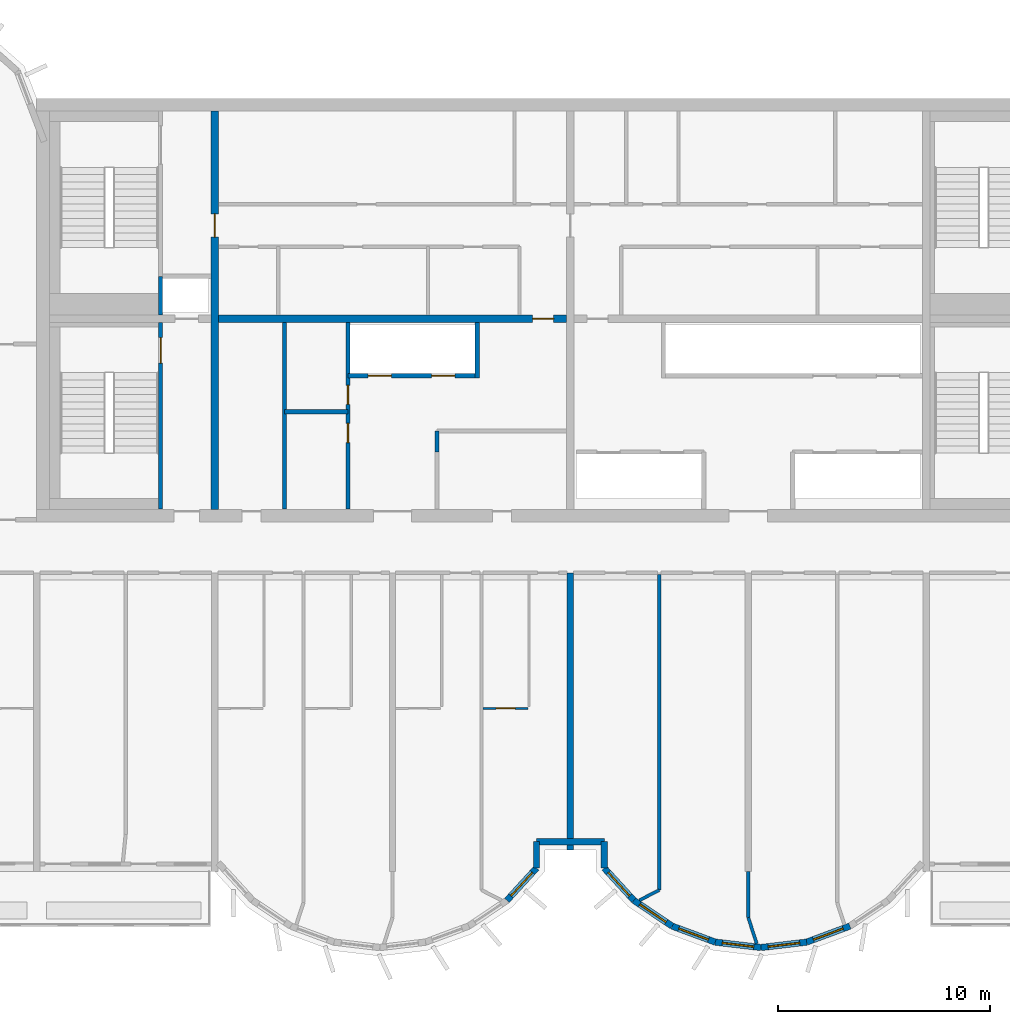
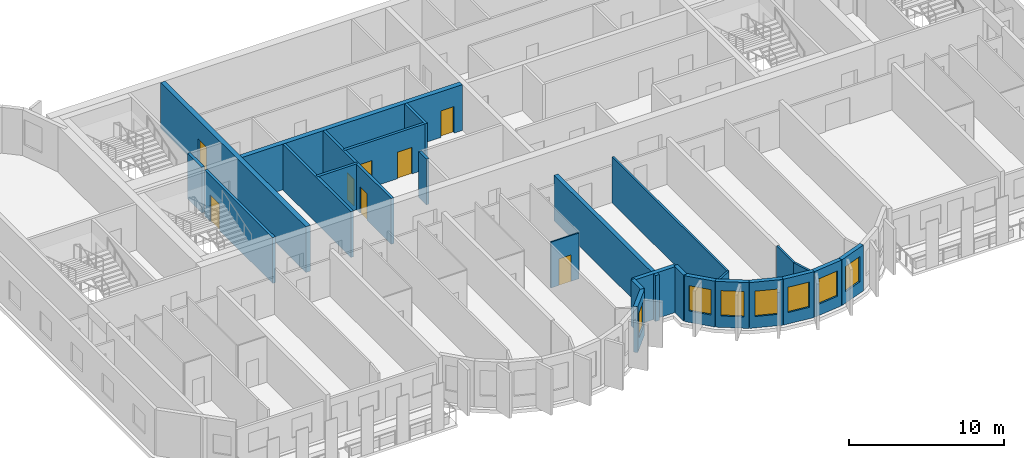
# One storey, part 4 of 11: 26 walls, 8 doors, 7 windows, 15 openings.
"""IFC4 building model written with IfcOpenShell, lengths in metres."""

import ifcopenshell
import ifcopenshell.guid

model = None  # the IFC model being written
_history = None  # IfcOwnerHistory: only IFC2X3 demands one
_inside = {}  # id of a spatial element -> (the spatial element, [elements in it])
_under = {}  # id of a project, library or spatial element -> (it, [spatial elements below it])
_declared = {}  # id of a project -> (the project, [libraries it declares])
_typed = {}  # id of a type object -> (the type object, [elements of that type])
_made_of = {}  # id of a material, layer set ... -> (it, [elements and type objects made of it])


def new_model(schema):
    """Start an empty IFC model of exactly this schema.

    Asked for "IFC4X3", IfcOpenShell would pick the latest addendum, in which some entities
    have other attributes; the version numbers below select the first issue.
    IFC2X3 requires an IfcOwnerHistory on every rooted entity: one is made here for all.
    """
    global model, _history
    if schema == "IFC4X3":
        model = ifcopenshell.file(schema_version=(4, 3, 0, 0))
    else:
        model = ifcopenshell.file(schema=schema)
    _inside.clear()
    _under.clear()
    _declared.clear()
    _typed.clear()
    _made_of.clear()
    _history = None
    if model.schema == "IFC2X3":
        org = make("IfcOrganization", Name="unknown")
        user = make(
            "IfcPersonAndOrganization",
            ThePerson=make("IfcPerson", FamilyName="unknown"),
            TheOrganization=org,
        )
        app = make(
            "IfcApplication",
            ApplicationDeveloper=org,
            Version="unknown",
            ApplicationFullName="unknown",
            ApplicationIdentifier="unknown",
        )
        _history = make(
            "IfcOwnerHistory",
            OwningUser=user,
            OwningApplication=app,
            ChangeAction="ADDED",
            CreationDate=0,
        )
    return model


def make(cls, **values):
    """One entity of the class cls with the attributes given. An attribute that is None is left unset."""
    return model.create_entity(
        cls, **{name: value for name, value in values.items() if value is not None}
    )


def rooted(cls, **values):
    """An entity with a GlobalId (a new one), such as an element, a storey or a relation."""
    return make(cls, GlobalId=ifcopenshell.guid.new(), OwnerHistory=_history, **values)


def si_unit(unit_type, name, prefix=None):
    """IfcSIUnit, for example si_unit("LENGTHUNIT", "METRE", prefix="MILLI")."""
    return make("IfcSIUnit", UnitType=unit_type, Prefix=prefix, Name=name)


def assignment(units):
    """IfcUnitAssignment: the units of a project."""
    return None if units is None else make("IfcUnitAssignment", Units=units)


def point(xyz):
    """IfcCartesianPoint."""
    return None if xyz is None else make("IfcCartesianPoint", Coordinates=xyz)


def direction(xyz):
    """IfcDirection."""
    return None if xyz is None else make("IfcDirection", DirectionRatios=xyz)


def frame(location, z_axis=None, x_axis=None):
    """IfcAxis2Placement3D, a coordinate frame: its origin and axes. An axis left out is left unset."""
    return make(
        "IfcAxis2Placement3D",
        Location=point(location),
        Axis=direction(z_axis),
        RefDirection=direction(x_axis),
    )


def frame_2d(location, x_axis=None):
    """IfcAxis2Placement2D, a coordinate frame in the plane: its origin and x axis."""
    return make(
        "IfcAxis2Placement2D", Location=point(location), RefDirection=direction(x_axis)
    )


def origin():
    """The frame at (0, 0, 0) with its axes left unset."""
    return frame((0.0, 0.0, 0.0))


def place(relative_to, where):
    """IfcLocalPlacement: puts the frame where relative to a parent placement (None: the world)."""
    return make(
        "IfcLocalPlacement", PlacementRelTo=relative_to, RelativePlacement=where
    )


def context(
    kind, dimensions, precision=None, world=None, true_north=None, identifier=None
):
    """IfcGeometricRepresentationContext, for example the 3D "Model" context."""
    return make(
        "IfcGeometricRepresentationContext",
        ContextIdentifier=identifier,
        ContextType=kind,
        CoordinateSpaceDimension=dimensions,
        Precision=precision,
        WorldCoordinateSystem=world,
        TrueNorth=true_north,
    )


def subcontext(parent, identifier, kind, view, scale=None):
    """IfcGeometricRepresentationSubContext, for example "Body" below "Model"."""
    return make(
        "IfcGeometricRepresentationSubContext",
        ContextIdentifier=identifier,
        ContextType=kind,
        ParentContext=parent,
        TargetScale=scale,
        TargetView=view,
    )


def project(units=None, contexts=None):
    """IfcProject with its units and contexts."""
    return rooted(
        "IfcProject",
        Name="project",
        RepresentationContexts=contexts,
        UnitsInContext=assignment(units),
    )


def spatial(cls, under=None, at=None, **own):
    """A site, building, storey or space (cls), placed at a placement, below another one or the project."""
    s = rooted(cls, ObjectPlacement=at, **own)
    if under is not None:
        _under.setdefault(under.id(), (under, []))[1].append(s)
    return s


def profile(cls, at=None, kind="AREA", **sizes):
    """A parametric profile (cls). Its sizes go by their IFC names, for example OverallWidth=200.0."""
    return make(cls, ProfileType=kind, Position=at, **sizes)


def rectangle(**sizes):
    """IfcRectangleProfileDef."""
    return profile("IfcRectangleProfileDef", **sizes)


def extrude(swept, where, along, depth):
    """IfcExtrudedAreaSolid: the profile swept, set in the frame where, extruded along a direction by depth."""
    return make(
        "IfcExtrudedAreaSolid",
        SweptArea=swept,
        Position=where,
        ExtrudedDirection=direction(along),
        Depth=depth,
    )


def shape(context_of_items, identifier, shape_type, items):
    """IfcShapeRepresentation: the items that make up one representation, for example the "Body"."""
    return make(
        "IfcShapeRepresentation",
        ContextOfItems=context_of_items,
        RepresentationIdentifier=identifier,
        RepresentationType=shape_type,
        Items=items,
    )


def source(mapping_origin, context_of_items, identifier, shape_type, items):
    """IfcRepresentationMap: a shape defined once, which mapped items show again and again."""
    return make(
        "IfcRepresentationMap",
        MappingOrigin=mapping_origin,
        MappedRepresentation=shape(context_of_items, identifier, shape_type, items),
    )


def transform(
    local_origin,
    x_axis=None,
    y_axis=None,
    z_axis=None,
    scale=None,
    scale2=None,
    scale3=None,
    uniform=True,
):
    """IfcCartesianTransformationOperator3D, or its non-uniform kind. x_axis, y_axis, z_axis: its Axis1, 2, 3."""
    if uniform:
        return make(
            "IfcCartesianTransformationOperator3D",
            Axis1=direction(x_axis),
            Axis2=direction(y_axis),
            LocalOrigin=point(local_origin),
            Scale=scale,
            Axis3=direction(z_axis),
        )
    return make(
        "IfcCartesianTransformationOperator3DnonUniform",
        Axis1=direction(x_axis),
        Axis2=direction(y_axis),
        LocalOrigin=point(local_origin),
        Scale=scale,
        Axis3=direction(z_axis),
        Scale2=scale2,
        Scale3=scale3,
    )


def mapped(mapping_source, mapping_target):
    """IfcMappedItem: shows the shape of a source again, moved by a transform."""
    return make(
        "IfcMappedItem", MappingSource=mapping_source, MappingTarget=mapping_target
    )


def material(Name=None, Category=None):
    """IfcMaterial."""
    return make("IfcMaterial", Name=Name, Category=Category)


def layer(
    of_material, thickness, ventilated=None, Name=None, Category=None, Priority=None
):
    """IfcMaterialLayer: one layer of a wall or slab, of a material (None: an air gap)."""
    return make(
        "IfcMaterialLayer",
        Material=of_material,
        LayerThickness=thickness,
        IsVentilated=ventilated,
        Name=Name,
        Category=Category,
        Priority=Priority,
    )


def layer_set(layers, Name=None):
    """IfcMaterialLayerSet."""
    return make("IfcMaterialLayerSet", MaterialLayers=layers, LayerSetName=Name)


def made_of(thing, what):
    """Note that an element or type object is made of a material, layer set ...; save() writes the relation."""
    if what is not None:
        _made_of.setdefault(what.id(), (what, []))[1].append(thing)
    return thing


def type_object(cls, material=None, **own):
    """A type object (cls), such as IfcWallType, which elements share."""
    return made_of(rooted(cls, **own), material)


def element(
    cls,
    number,
    at=None,
    inside=None,
    cuts=None,
    type_object=None,
    material=None,
    context=None,
    identifier="Body",
    shape_type=None,
    held_by="IfcProductDefinitionShape",
    body=None,
    shapes=None,
    **own,
):
    """One element of the class cls, such as IfcWall. Its Tag is "e" and its number.

    at: its placement. inside: the storey or other place that contains it. cuts: it is an
    opening in that element (IfcRelVoidsElement). A single representation is given by context,
    identifier, shape_type and body (its items); several are given by shapes. held_by: the class
    of the entity that holds the representations. save() writes the other relations.
    """
    e = rooted(cls, Tag="e%d" % number, ObjectPlacement=at, **own)
    if body is not None:
        shapes = [shape(context, identifier, shape_type, body)]
    if shapes is not None:
        e.Representation = make(held_by, Representations=shapes)
    if inside is not None:
        _inside.setdefault(inside.id(), (inside, []))[1].append(e)
    if cuts is not None:
        rooted(
            "IfcRelVoidsElement", RelatingBuildingElement=cuts, RelatedOpeningElement=e
        )
    if type_object is not None:
        _typed.setdefault(type_object.id(), (type_object, []))[1].append(e)
    return made_of(e, material)


def fill(opening, filler):
    """IfcRelFillsElement: the door or window that sits in an opening."""
    return rooted(
        "IfcRelFillsElement",
        RelatingOpeningElement=opening,
        RelatedBuildingElement=filler,
    )


def aggregate(whole, parts):
    """IfcRelAggregates: a whole, such as a stair, and the parts it consists of."""
    return rooted("IfcRelAggregates", RelatingObject=whole, RelatedObjects=parts)


def save(model, path):
    """Write the relations noted so far, then the file.

    IfcRelAggregates (storeys below a building ...), IfcRelContainedInSpatialStructure (elements
    in a storey), IfcRelDefinesByType, IfcRelAssociatesMaterial and IfcRelDeclares: one each for
    every whole, place, type object, material and project.
    """
    for whole, parts in _under.values():
        aggregate(whole, parts)
    for where, things in _inside.values():
        rooted(
            "IfcRelContainedInSpatialStructure",
            RelatedElements=things,
            RelatingStructure=where,
        )
    for kind, things in _typed.values():
        rooted("IfcRelDefinesByType", RelatedObjects=things, RelatingType=kind)
    for what, things in _made_of.values():
        rooted("IfcRelAssociatesMaterial", RelatedObjects=things, RelatingMaterial=what)
    for by, libraries in _declared.values():
        rooted("IfcRelDeclares", RelatingContext=by, RelatedDefinitions=libraries)
    model.write(path)


model = new_model("IFC4")

# Units and contexts
model_context = context("Model", 3, precision=1e-05, world=origin(), true_north=direction((0.0, 1.0)))
body_context = subcontext(model_context, "Body", "Model", "MODEL_VIEW")
ifc_project = project(units=[si_unit("LENGTHUNIT", "METRE"), si_unit("AREAUNIT", "SQUARE_METRE"), si_unit("VOLUMEUNIT", "CUBIC_METRE"), si_unit("PLANEANGLEUNIT", "RADIAN"), si_unit("MASSUNIT", "GRAM", prefix="KILO")], contexts=[model_context])

# Site, building, storey
site_placement = place(None, origin())
site = spatial("IfcSite", under=ifc_project, at=site_placement, CompositionType="ELEMENT")
building_placement = place(site_placement, origin())
building = spatial("IfcBuilding", under=site, at=building_placement, Name="Vanashikhar Sky Hotel", CompositionType="ELEMENT")
storey_placement = place(building_placement, frame((0.0, 0.0, 241.300048828125)))
storey = spatial("IfcBuildingStorey", under=building, at=storey_placement, Name="L58", CompositionType="ELEMENT", Elevation=241.300048828125)

# Wall, opening, door
ifc_material_1 = material(Name="Concrete M60", Category="concrete")
ifc_layer_1 = layer(ifc_material_1, 0.35009765625)
ifc_layer_set_1 = layer_set([ifc_layer_1], Name="RC core inner wall 350 Concrete M60")
wall_type_1 = type_object("IfcWallType", Name="RC core inner wall 350 Concrete M60", PredefinedType="SHEAR", material=ifc_layer_set_1)
shared_shape_1 = source(origin(), body_context, "Body", "SweptSolid", [
    extrude(rectangle(XDim=18.7998046875, YDim=0.35009765625, at=frame_2d((9.39990234375, 0.0))), origin(), (0.0, 0.0, 1.0), 3.619873046875),
])
wall_1_placement = place(storey_placement, frame((33.60009765625, 22.60009765625, 0.0), z_axis=(0.0, 0.0, 1.0), x_axis=(0.0, 1.0, 0.0)))
wall_1 = element("IfcWall", 1, at=wall_1_placement, inside=storey, type_object=wall_type_1, Name="KW-L58-KX1", PredefinedType="SHEAR", context=body_context, shape_type="MappedRepresentation", body=[
    mapped(shared_shape_1, transform((0.0, 0.0, 0.0), scale=1.0)),
])
shared_shape_2 = source(origin(), body_context, "Body", "SweptSolid", [
    extrude(rectangle(XDim=1.10009765625, YDim=2.10009765625, at=frame_2d((0.550048828125, 1.050048828125))), frame((0.0, 0.18505859375, 0.0), z_axis=(0.0, -1.0, 0.0), x_axis=(1.0, 0.0, 0.0)), (0.0, 0.0, 1.0), 0.3701171875),
])
opening_1_placement = place(wall_1_placement, frame((12.85009765625, 0.0, 0.0)))
opening_1 = element("IfcOpeningElement", 2, at=opening_1_placement, cuts=wall_1, Name="Opening DC-4-C", PredefinedType="OPENING", context=body_context, shape_type="MappedRepresentation", body=[
    mapped(shared_shape_2, transform((0.0, 0.0, 0.0), scale=1.0)),
])
ifc_material_2 = material(Name="Steel", Category="steel")
door_type_1 = type_object("IfcDoorType", Name="Service door 1100 FD60", OperationType="NOTDEFINED", PredefinedType="DOOR", material=ifc_material_2)
shared_shape_3 = source(origin(), body_context, "Body", "SweptSolid", [
    extrude(rectangle(XDim=1.10009765625, YDim=2.10009765625, at=frame_2d((0.550048828125, 1.050048828125))), frame((0.0, 0.02490234375, 0.0), z_axis=(0.0, -1.0, 0.0), x_axis=(1.0, 0.0, 0.0)), (0.0, 0.0, 1.0), 0.050048828125),
])
door_1_placement = place(opening_1_placement, origin())
door_1 = element("IfcDoor", 3, at=door_1_placement, inside=storey, type_object=door_type_1, Name="Service door 1100 FD60", OperationType="SINGLE_SWING_LEFT", OverallHeight=2.10009765625, OverallWidth=1.10009765625, PredefinedType="DOOR", context=body_context, shape_type="MappedRepresentation", body=[
    mapped(shared_shape_3, transform((0.0, 0.0, 0.0), scale=1.0)),
])
fill(opening_1, door_1)

shared_shape_4 = source(origin(), body_context, "Body", "SweptSolid", [
    extrude(rectangle(XDim=16.4501953125, YDim=0.35009765625, at=frame_2d((8.22509765625, 0.0))), origin(), (0.0, 0.0, 1.0), 3.619873046875),
])
wall_2_placement = place(storey_placement, frame((33.77490234375, 31.60009765625, 0.0), z_axis=(0.0, 0.0, 1.0), x_axis=(1.0, 0.0, 0.0)))
wall_2 = element("IfcWall", 4, at=wall_2_placement, inside=storey, type_object=wall_type_1, Name="KW-L58-KY2", PredefinedType="SHEAR", context=body_context, shape_type="MappedRepresentation", body=[
    mapped(shared_shape_4, transform((0.0, 0.0, 0.0), scale=1.0)),
])
shared_shape_5 = source(origin(), body_context, "Body", "SweptSolid", [
    extrude(rectangle(XDim=1.0, YDim=2.10009765625, at=frame_2d((0.5, 1.050048828125))), frame((0.0, 0.18505859375, 0.0), z_axis=(0.0, -1.0, 0.0), x_axis=(1.0, 0.0, 0.0)), (0.0, 0.0, 1.0), 0.3701171875),
])
opening_2_placement = place(wall_2_placement, frame((14.8369140625, 0.0, 0.0)))
opening_2 = element("IfcOpeningElement", 5, at=opening_2_placement, cuts=wall_2, Name="Opening DC-4", PredefinedType="OPENING", context=body_context, shape_type="MappedRepresentation", body=[
    mapped(shared_shape_5, transform((0.0, 0.0, 0.0), scale=1.0)),
])
door_type_2 = type_object("IfcDoorType", Name="Service door 1000 FD60", OperationType="NOTDEFINED", PredefinedType="DOOR", material=ifc_material_2)
shared_shape_6 = source(origin(), body_context, "Body", "SweptSolid", [
    extrude(rectangle(XDim=1.0, YDim=2.10009765625, at=frame_2d((0.5, 1.050048828125))), frame((0.0, 0.02490234375, 0.0), z_axis=(0.0, -1.0, 0.0), x_axis=(1.0, 0.0, 0.0)), (0.0, 0.0, 1.0), 0.050048828125),
])
door_2_placement = place(opening_2_placement, origin())
door_2 = element("IfcDoor", 6, at=door_2_placement, inside=storey, type_object=door_type_2, Name="Service door 1000 FD60", OperationType="SINGLE_SWING_LEFT", OverallHeight=2.10009765625, OverallWidth=1.0, PredefinedType="DOOR", context=body_context, shape_type="MappedRepresentation", body=[
    mapped(shared_shape_6, transform((0.0, 0.0, 0.0), scale=1.0)),
])
fill(opening_2, door_2)

# Wall
ifc_layer_2 = layer(ifc_material_1, 0.300048828125)
ifc_layer_set_2 = layer_set([ifc_layer_2], Name="RC shear wall 300 Concrete M60")
wall_type_2 = type_object("IfcWallType", Name="RC shear wall 300 Concrete M60", PredefinedType="SHEAR", material=ifc_layer_set_2)
shared_shape_7 = source(origin(), body_context, "Body", "SweptSolid", [
    extrude(rectangle(XDim=13.10009765625, YDim=0.300048828125, at=frame_2d((6.550048828125, 0.0))), origin(), (0.0, 0.0, 1.0), 3.619873046875),
])
wall_3_placement = place(storey_placement, frame((50.39990234375, 6.5, 0.0), z_axis=(0.0, 0.0, 1.0), x_axis=(0.0, 1.0, 0.0)))
element("IfcWall", 7, at=wall_3_placement, inside=storey, type_object=wall_type_2, Name="CW-L58-XW07-1", PredefinedType="SHEAR", context=body_context, shape_type="MappedRepresentation", body=[
    mapped(shared_shape_7, transform((0.0, 0.0, 0.0), scale=1.0)),
])

# Wall, opening, window
ifc_material_3 = material(Name="Concrete M50", Category="concrete")
ifc_layer_3 = layer(ifc_material_3, 0.300048828125)
ifc_layer_set_3 = layer_set([ifc_layer_3], Name="Lobe wall 300")
wall_type_3 = type_object("IfcWallType", Name="Lobe wall 300", PredefinedType="SOLIDWALL", material=ifc_layer_set_3)
shared_shape_8 = source(origin(), body_context, "Body", "SweptSolid", [
    extrude(rectangle(XDim=2.17578125, YDim=0.300048828125, at=frame_2d((1.087890625, 0.0))), origin(), (0.0, 0.0, 1.0), 3.619873046875),
])
wall_4_placement = place(storey_placement, frame((53.395751953125, 4.13134765625, 0.0), z_axis=(0.0, 0.0, 1.0), x_axis=(0.829590746428, -0.558371913192, 0.0)))
wall_4 = element("IfcWall", 8, at=wall_4_placement, inside=storey, type_object=wall_type_3, Name="Lobe wall", PredefinedType="SOLIDWALL", context=body_context, shape_type="MappedRepresentation", body=[
    mapped(shared_shape_8, transform((0.0, 0.0, 0.0), scale=1.0)),
])
shared_shape_9 = source(origin(), body_context, "Body", "SweptSolid", [
    extrude(rectangle(XDim=1.5, YDim=2.0, at=frame_2d((0.75, 1.0))), frame((0.0, 0.16015625, 0.0), z_axis=(0.0, -1.0, 0.0), x_axis=(1.0, 0.0, 0.0)), (0.0, 0.0, 1.0), 0.320068359375),
])
opening_3_placement = place(wall_4_placement, frame((0.337890625, 0.0, 0.89990234375)))
opening_3 = element("IfcOpeningElement", 9, at=opening_3_placement, cuts=wall_4, Name="Opening WN-2", PredefinedType="OPENING", context=body_context, shape_type="MappedRepresentation", body=[
    mapped(shared_shape_9, transform((0.0, 0.0, 0.0), scale=1.0)),
])
ifc_material_4 = material(Name="Glass", Category="glass")
window_type = type_object("IfcWindowType", Name="Lobe window 1500 x 2000", PartitioningType="SINGLE_PANEL", PredefinedType="WINDOW", material=ifc_material_4)
shared_shape_10 = source(origin(), body_context, "Body", "SweptSolid", [
    extrude(rectangle(XDim=1.5, YDim=2.0, at=frame_2d((0.75, 1.0))), frame((0.0, 0.030029296875, 0.0), z_axis=(0.0, -1.0, 0.0), x_axis=(1.0, 0.0, 0.0)), (0.0, 0.0, 1.0), 0.06005859375),
])
window_1_placement = place(opening_3_placement, origin())
window_1 = element("IfcWindow", 10, at=window_1_placement, inside=storey, type_object=window_type, Name="Window WN-2", OverallHeight=2.0, OverallWidth=1.5, PartitioningType="SINGLE_PANEL", PredefinedType="WINDOW", context=body_context, shape_type="MappedRepresentation", body=[
    mapped(shared_shape_10, transform((0.0, 0.0, 0.0), scale=1.0)),
])
fill(opening_3, window_1)

wall_5_placement = place(storey_placement, frame((55.20068359375, 2.91650390625, 0.0), z_axis=(0.0, 0.0, 1.0), x_axis=(0.93754555999, -0.347862505801, 0.0)))
wall_5 = element("IfcWall", 11, at=wall_5_placement, inside=storey, type_object=wall_type_3, Name="Lobe wall", PredefinedType="SOLIDWALL", context=body_context, shape_type="MappedRepresentation", body=[
    mapped(shared_shape_8, transform((0.0, 0.0, 0.0), scale=1.0)),
])
opening_4_placement = place(wall_5_placement, frame((0.337890625, 0.0, 0.89990234375)))
opening_4 = element("IfcOpeningElement", 12, at=opening_4_placement, cuts=wall_5, Name="Opening WN-2", PredefinedType="OPENING", context=body_context, shape_type="MappedRepresentation", body=[
    mapped(shared_shape_9, transform((0.0, 0.0, 0.0), scale=1.0)),
])
window_2_placement = place(opening_4_placement, origin())
window_2 = element("IfcWindow", 13, at=window_2_placement, inside=storey, type_object=window_type, Name="Window WN-2", OverallHeight=2.0, OverallWidth=1.5, PartitioningType="SINGLE_PANEL", PredefinedType="WINDOW", context=body_context, shape_type="MappedRepresentation", body=[
    mapped(shared_shape_10, transform((0.0, 0.0, 0.0), scale=1.0)),
])
fill(opening_4, window_2)

shared_shape_11 = source(origin(), body_context, "Body", "SweptSolid", [
    extrude(rectangle(XDim=2.174560546875, YDim=0.300048828125, at=frame_2d((1.08740234375, 0.0))), origin(), (0.0, 0.0, 1.0), 3.619873046875),
])
wall_6_placement = place(storey_placement, frame((57.240478515625, 2.15966796875, 0.0), z_axis=(0.0, 0.0, 1.0), x_axis=(0.993001132889, -0.118104826659, 0.0)))
wall_6 = element("IfcWall", 14, at=wall_6_placement, inside=storey, type_object=wall_type_3, Name="Lobe wall", PredefinedType="SOLIDWALL", context=body_context, shape_type="MappedRepresentation", body=[
    mapped(shared_shape_11, transform((0.0, 0.0, 0.0), scale=1.0)),
])
opening_5_placement = place(wall_6_placement, frame((0.33740234375, 0.0, 0.89990234375)))
opening_5 = element("IfcOpeningElement", 15, at=opening_5_placement, cuts=wall_6, Name="Opening WN-2", PredefinedType="OPENING", context=body_context, shape_type="MappedRepresentation", body=[
    mapped(shared_shape_9, transform((0.0, 0.0, 0.0), scale=1.0)),
])
window_3_placement = place(opening_5_placement, origin())
window_3 = element("IfcWindow", 16, at=window_3_placement, inside=storey, type_object=window_type, Name="Window WN-2", OverallHeight=2.0, OverallWidth=1.5, PartitioningType="SINGLE_PANEL", PredefinedType="WINDOW", context=body_context, shape_type="MappedRepresentation", body=[
    mapped(shared_shape_10, transform((0.0, 0.0, 0.0), scale=1.0)),
])
fill(opening_5, window_3)

shared_shape_12 = source(origin(), body_context, "Body", "SweptSolid", [
    extrude(rectangle(XDim=2.1748046875, YDim=0.300048828125, at=frame_2d((1.08740234375, 0.0))), origin(), (0.0, 0.0, 1.0), 3.619873046875),
])
wall_7_placement = place(storey_placement, frame((59.39990234375, 1.90283203125, 0.0), z_axis=(0.0, 0.0, 1.0), x_axis=(0.993002698611, 0.118091661648, 0.0)))
wall_7 = element("IfcWall", 17, at=wall_7_placement, inside=storey, type_object=wall_type_3, Name="Lobe wall", PredefinedType="SOLIDWALL", context=body_context, shape_type="MappedRepresentation", body=[
    mapped(shared_shape_12, transform((0.0, 0.0, 0.0), scale=1.0)),
])
opening_6_placement = place(wall_7_placement, frame((0.33740234375, 0.0, 0.89990234375)))
opening_6 = element("IfcOpeningElement", 18, at=opening_6_placement, cuts=wall_7, Name="Opening WN-2", PredefinedType="OPENING", context=body_context, shape_type="MappedRepresentation", body=[
    mapped(shared_shape_9, transform((0.0, 0.0, 0.0), scale=1.0)),
])
window_4_placement = place(opening_6_placement, origin())
window_4 = element("IfcWindow", 19, at=window_4_placement, inside=storey, type_object=window_type, Name="Window WN-2", OverallHeight=2.0, OverallWidth=1.5, PartitioningType="SINGLE_PANEL", PredefinedType="WINDOW", context=body_context, shape_type="MappedRepresentation", body=[
    mapped(shared_shape_10, transform((0.0, 0.0, 0.0), scale=1.0)),
])
fill(opening_6, window_4)

shared_shape_13 = source(origin(), body_context, "Body", "SweptSolid", [
    extrude(rectangle(XDim=2.175537109375, YDim=0.300048828125, at=frame_2d((1.087890625, 0.0))), origin(), (0.0, 0.0, 1.0), 3.619873046875),
])
wall_8_placement = place(storey_placement, frame((61.5595703125, 2.15966796875, 0.0), z_axis=(0.0, 0.0, 1.0), x_axis=(0.937531979054, 0.347899106424, 0.0)))
wall_8 = element("IfcWall", 20, at=wall_8_placement, inside=storey, type_object=wall_type_3, Name="Lobe wall", PredefinedType="SOLIDWALL", context=body_context, shape_type="MappedRepresentation", body=[
    mapped(shared_shape_13, transform((0.0, 0.0, 0.0), scale=1.0)),
])
opening_7_placement = place(wall_8_placement, frame((0.337890625, 0.0, 0.89990234375)))
opening_7 = element("IfcOpeningElement", 21, at=opening_7_placement, cuts=wall_8, Name="Opening WN-2", PredefinedType="OPENING", context=body_context, shape_type="MappedRepresentation", body=[
    mapped(shared_shape_9, transform((0.0, 0.0, 0.0), scale=1.0)),
])
window_5_placement = place(opening_7_placement, origin())
window_5 = element("IfcWindow", 22, at=window_5_placement, inside=storey, type_object=window_type, Name="Window WN-2", OverallHeight=2.0, OverallWidth=1.5, PartitioningType="SINGLE_PANEL", PredefinedType="WINDOW", context=body_context, shape_type="MappedRepresentation", body=[
    mapped(shared_shape_10, transform((0.0, 0.0, 0.0), scale=1.0)),
])
fill(opening_7, window_5)

shared_shape_14 = source(origin(), body_context, "Body", "SweptSolid", [
    extrude(rectangle(XDim=2.066650390625, YDim=0.300048828125, at=frame_2d((1.033203125, 0.0))), origin(), (0.0, 0.0, 1.0), 3.619873046875),
])
wall_9_placement = place(storey_placement, frame((47.404296875, 4.13134765625, 0.0), z_axis=(0.0, 0.0, 1.0), x_axis=(0.675355439877, 0.737492393065, 0.0)))
wall_9 = element("IfcWall", 23, at=wall_9_placement, inside=storey, type_object=wall_type_3, Name="Lobe wall", PredefinedType="SOLIDWALL", context=body_context, shape_type="MappedRepresentation", body=[
    mapped(shared_shape_14, transform((0.0, 0.0, 0.0), scale=1.0)),
])
opening_8_placement = place(wall_9_placement, frame((0.283447265625, 0.0, 0.89990234375)))
opening_8 = element("IfcOpeningElement", 24, at=opening_8_placement, cuts=wall_9, Name="Opening WN-2", PredefinedType="OPENING", context=body_context, shape_type="MappedRepresentation", body=[
    mapped(shared_shape_9, transform((0.0, 0.0, 0.0), scale=1.0)),
])
window_6_placement = place(opening_8_placement, origin())
window_6 = element("IfcWindow", 25, at=window_6_placement, inside=storey, type_object=window_type, Name="Window WN-2", OverallHeight=2.0, OverallWidth=1.5, PartitioningType="SINGLE_PANEL", PredefinedType="WINDOW", context=body_context, shape_type="MappedRepresentation", body=[
    mapped(shared_shape_10, transform((0.0, 0.0, 0.0), scale=1.0)),
])
fill(opening_8, window_6)

wall_10_placement = place(storey_placement, frame((52.0, 5.655517578125, 0.0), z_axis=(0.0, 0.0, 1.0), x_axis=(0.675355439877, -0.737492393065, 0.0)))
wall_10 = element("IfcWall", 26, at=wall_10_placement, inside=storey, type_object=wall_type_3, Name="Lobe wall", PredefinedType="SOLIDWALL", context=body_context, shape_type="MappedRepresentation", body=[
    mapped(shared_shape_14, transform((0.0, 0.0, 0.0), scale=1.0)),
])
opening_9_placement = place(wall_10_placement, frame((0.283447265625, 0.0, 0.89990234375)))
opening_9 = element("IfcOpeningElement", 27, at=opening_9_placement, cuts=wall_10, Name="Opening WN-2", PredefinedType="OPENING", context=body_context, shape_type="MappedRepresentation", body=[
    mapped(shared_shape_9, transform((0.0, 0.0, 0.0), scale=1.0)),
])
window_7_placement = place(opening_9_placement, origin())
window_7 = element("IfcWindow", 28, at=window_7_placement, inside=storey, type_object=window_type, Name="Window WN-2", OverallHeight=2.0, OverallWidth=1.5, PartitioningType="SINGLE_PANEL", PredefinedType="WINDOW", context=body_context, shape_type="MappedRepresentation", body=[
    mapped(shared_shape_10, transform((0.0, 0.0, 0.0), scale=1.0)),
])
fill(opening_9, window_7)

# Walls
shared_shape_15 = source(origin(), body_context, "Body", "SweptSolid", [
    extrude(rectangle(XDim=1.244384765625, YDim=0.300048828125, at=frame_2d((0.6220703125, 0.0))), origin(), (0.0, 0.0, 1.0), 3.619873046875),
])
for number, where, z_axis, x_axis, name in (
    (29, (48.800048828125, 5.655517578125, 0.0), (0.0, 0.0, 1.0), (0.0, 1.0, 0.0), "Groove wall"),
    (30, (52.0, 6.89990234375, 0.0), (0.0, 0.0, 1.0), (0.0, -1.0, 0.0), "Groove wall"),
):
    element("IfcWall", number, at=place(storey_placement, frame(where, z_axis=z_axis, x_axis=x_axis)), inside=storey, type_object=wall_type_3, Name=name, PredefinedType="SOLIDWALL", context=body_context, shape_type="MappedRepresentation", body=[
        mapped(shared_shape_15, transform((0.0, 0.0, 0.0), scale=1.0)),
    ])
shared_shape_16 = source(origin(), body_context, "Body", "SweptSolid", [
    extrude(rectangle(XDim=3.199951171875, YDim=0.300048828125, at=frame_2d((1.60009765625, 0.0))), origin(), (0.0, 0.0, 1.0), 3.619873046875),
])
wall_11_placement = place(storey_placement, frame((48.800048828125, 6.89990234375, 0.0), z_axis=(0.0, 0.0, 1.0), x_axis=(1.0, 0.0, 0.0)))
element("IfcWall", 31, at=wall_11_placement, inside=storey, type_object=wall_type_3, Name="Groove wall", PredefinedType="SOLIDWALL", context=body_context, shape_type="MappedRepresentation", body=[
    mapped(shared_shape_16, transform((0.0, 0.0, 0.0), scale=1.0)),
])

# Wall, openings, doors
ifc_material_5 = material(Name="Concrete M40", Category="concrete")
ifc_layer_4 = layer(ifc_material_5, 0.199951171875)
ifc_layer_set_4 = layer_set([ifc_layer_4], Name="Shaft wall 200")
wall_type_4 = type_object("IfcWallType", Name="Shaft wall 200", PredefinedType="SOLIDWALL", material=ifc_layer_set_4)
shared_shape_17 = source(origin(), body_context, "Body", "SweptSolid", [
    extrude(rectangle(XDim=6.0, YDim=0.199951171875, at=frame_2d((3.0, 0.0))), origin(), (0.0, 0.0, 1.0), 3.619873046875),
])
wall_12_placement = place(storey_placement, frame((39.89990234375, 28.89990234375, 0.0), z_axis=(0.0, 0.0, 1.0), x_axis=(1.0, 0.0, 0.0)))
wall_12 = element("IfcWall", 32, at=wall_12_placement, inside=storey, type_object=wall_type_4, Name="Shaft wall 200", PredefinedType="SOLIDWALL", context=body_context, shape_type="MappedRepresentation", body=[
    mapped(shared_shape_17, transform((0.0, 0.0, 0.0), scale=1.0)),
])
shared_shape_18 = source(origin(), body_context, "Body", "SweptSolid", [
    extrude(rectangle(XDim=1.10009765625, YDim=2.10009765625, at=frame_2d((0.550048828125, 1.050048828125))), frame((0.0, 0.10986328125, 0.0), z_axis=(0.0, -1.0, 0.0), x_axis=(1.0, 0.0, 0.0)), (0.0, 0.0, 1.0), 0.219970703125),
])
opening_10_placement = place(wall_12_placement, frame((0.949951171875, 0.0, 0.0)))
opening_10 = element("IfcOpeningElement", 33, at=opening_10_placement, cuts=wall_12, Name="Opening LD", PredefinedType="OPENING", context=body_context, shape_type="MappedRepresentation", body=[
    mapped(shared_shape_18, transform((0.0, 0.0, 0.0), scale=1.0)),
])
opening_11_placement = place(wall_12_placement, frame((3.949951171875, 0.0, 0.0)))
opening_11 = element("IfcOpeningElement", 34, at=opening_11_placement, cuts=wall_12, Name="Opening LD", PredefinedType="OPENING", context=body_context, shape_type="MappedRepresentation", body=[
    mapped(shared_shape_18, transform((0.0, 0.0, 0.0), scale=1.0)),
])
ifc_material_6 = material(Name="Stainless steel", Category="steel")
door_type_3 = type_object("IfcDoorType", Name="Lift landing door 1100", OperationType="NOTDEFINED", PredefinedType="DOOR", material=ifc_material_6)
door_3_placement = place(opening_10_placement, origin())
door_3 = element("IfcDoor", 35, at=door_3_placement, inside=storey, type_object=door_type_3, Name="Lift landing door 1100", OperationType="SLIDING_TO_LEFT", OverallHeight=2.10009765625, OverallWidth=1.10009765625, PredefinedType="DOOR", context=body_context, shape_type="MappedRepresentation", body=[
    mapped(shared_shape_3, transform((0.0, 0.0, 0.0), scale=1.0)),
])
fill(opening_10, door_3)
door_4_placement = place(opening_11_placement, origin())
door_4 = element("IfcDoor", 36, at=door_4_placement, inside=storey, type_object=door_type_3, Name="Lift landing door 1100", OperationType="SLIDING_TO_RIGHT", OverallHeight=2.10009765625, OverallWidth=1.10009765625, PredefinedType="DOOR", context=body_context, shape_type="MappedRepresentation", body=[
    mapped(shared_shape_3, transform((0.0, 0.0, 0.0), scale=1.0)),
])
fill(opening_11, door_4)

ifc_material_7 = material(Name="Gypsum board partition")
ifc_layer_5 = layer(ifc_material_7, 0.14990234375)
ifc_layer_set_5 = layer_set([ifc_layer_5], Name="Service partition 150")
wall_type_5 = type_object("IfcWallType", Name="Service partition 150", PredefinedType="PARTITIONING", material=ifc_layer_set_5)
shared_shape_19 = source(origin(), body_context, "Body", "SweptSolid", [
    extrude(rectangle(XDim=8.824951171875, YDim=0.199951171875, at=frame_2d((4.41259765625, 0.0))), origin(), (0.0, 0.0, 1.0), 3.619873046875),
])
wall_13_placement = place(storey_placement, frame((39.89990234375, 22.60009765625, 0.0), z_axis=(0.0, 0.0, 1.0), x_axis=(0.0, 1.0, 0.0)))
wall_13 = element("IfcWall", 37, at=wall_13_placement, inside=storey, type_object=wall_type_5, Name="Service partition 150", PredefinedType="PARTITIONING", context=body_context, shape_type="MappedRepresentation", body=[
    mapped(shared_shape_19, transform((0.0, 0.0, 0.0), scale=1.0)),
])
shared_shape_20 = source(origin(), body_context, "Body", "SweptSolid", [
    extrude(rectangle(XDim=0.89990234375, YDim=2.10009765625, at=frame_2d((0.449951171875, 1.050048828125))), frame((0.0, 0.10986328125, 0.0), z_axis=(0.0, -1.0, 0.0), x_axis=(1.0, 0.0, 0.0)), (0.0, 0.0, 1.0), 0.219970703125),
])
opening_12_placement = place(wall_13_placement, frame((3.14990234375, 0.0, 0.0)))
opening_12 = element("IfcOpeningElement", 38, at=opening_12_placement, cuts=wall_13, Name="Opening DC-4-A", PredefinedType="OPENING", context=body_context, shape_type="MappedRepresentation", body=[
    mapped(shared_shape_20, transform((0.0, 0.0, 0.0), scale=1.0)),
])
opening_13_placement = place(wall_13_placement, frame((4.949951171875, 0.0, 0.0)))
opening_13 = element("IfcOpeningElement", 39, at=opening_13_placement, cuts=wall_13, Name="Opening DC-4-A", PredefinedType="OPENING", context=body_context, shape_type="MappedRepresentation", body=[
    mapped(shared_shape_20, transform((0.0, 0.0, 0.0), scale=1.0)),
])
door_type_4 = type_object("IfcDoorType", Name="Service door 900 FD60", OperationType="NOTDEFINED", PredefinedType="DOOR", material=ifc_material_2)
shared_shape_21 = source(origin(), body_context, "Body", "SweptSolid", [
    extrude(rectangle(XDim=0.89990234375, YDim=2.10009765625, at=frame_2d((0.449951171875, 1.050048828125))), frame((0.0, 0.02490234375, 0.0), z_axis=(0.0, -1.0, 0.0), x_axis=(1.0, 0.0, 0.0)), (0.0, 0.0, 1.0), 0.050048828125),
])
door_5_placement = place(opening_12_placement, origin())
door_5 = element("IfcDoor", 40, at=door_5_placement, inside=storey, type_object=door_type_4, Name="Service door 900 FD60", OperationType="SINGLE_SWING_LEFT", OverallHeight=2.10009765625, OverallWidth=0.89990234375, PredefinedType="DOOR", context=body_context, shape_type="MappedRepresentation", body=[
    mapped(shared_shape_21, transform((0.0, 0.0, 0.0), scale=1.0)),
])
fill(opening_12, door_5)
door_6_placement = place(opening_13_placement, origin())
door_6 = element("IfcDoor", 41, at=door_6_placement, inside=storey, type_object=door_type_4, Name="Service door 900 FD60", OperationType="SINGLE_SWING_RIGHT", OverallHeight=2.10009765625, OverallWidth=0.89990234375, PredefinedType="DOOR", context=body_context, shape_type="MappedRepresentation", body=[
    mapped(shared_shape_21, transform((0.0, 0.0, 0.0), scale=1.0)),
])
fill(opening_13, door_6)

# Walls
wall_14_placement = place(storey_placement, frame((36.89990234375, 22.60009765625, 0.0), z_axis=(0.0, 0.0, 1.0), x_axis=(0.0, 1.0, 0.0)))
element("IfcWall", 42, at=wall_14_placement, inside=storey, type_object=wall_type_5, Name="Service partition 150", PredefinedType="PARTITIONING", context=body_context, shape_type="MappedRepresentation", body=[
    mapped(shared_shape_19, transform((0.0, 0.0, 0.0), scale=1.0)),
])
shared_shape_22 = source(origin(), body_context, "Body", "SweptSolid", [
    extrude(rectangle(XDim=2.625, YDim=0.199951171875, at=frame_2d((1.3125, 0.0))), origin(), (0.0, 0.0, 1.0), 3.619873046875),
])
wall_15_placement = place(storey_placement, frame((46.0, 28.800048828125, 0.0), z_axis=(0.0, 0.0, 1.0), x_axis=(0.0, 1.0, 0.0)))
element("IfcWall", 43, at=wall_15_placement, inside=storey, type_object=wall_type_4, Name="Shaft wall 200", PredefinedType="SOLIDWALL", context=body_context, shape_type="MappedRepresentation", body=[
    mapped(shared_shape_22, transform((0.0, 0.0, 0.0), scale=1.0)),
])
shared_shape_23 = source(origin(), body_context, "Body", "SweptSolid", [
    extrude(rectangle(XDim=1.0, YDim=0.199951171875, at=frame_2d((0.5, 0.0))), origin(), (0.0, 0.0, 1.0), 3.619873046875),
])
wall_16_placement = place(storey_placement, frame((44.10009765625, 25.300048828125, 0.0), z_axis=(0.0, 0.0, 1.0), x_axis=(0.0, 1.0, 0.0)))
element("IfcWall", 44, at=wall_16_placement, inside=storey, type_object=wall_type_5, Name="Service partition 150", PredefinedType="PARTITIONING", context=body_context, shape_type="MappedRepresentation", body=[
    mapped(shared_shape_23, transform((0.0, 0.0, 0.0), scale=1.0)),
])

# Wall, opening, door
ifc_layer_6 = layer(ifc_material_3, 0.199951171875)
ifc_layer_set_6 = layer_set([ifc_layer_6], Name="Stair wall 200")
wall_type_6 = type_object("IfcWallType", Name="Stair wall 200", PredefinedType="SOLIDWALL", material=ifc_layer_set_6)
shared_shape_24 = source(origin(), body_context, "Body", "SweptSolid", [
    extrude(rectangle(XDim=8.824951171875, YDim=0.199951171875, at=frame_2d((4.41259765625, 0.0))), origin(), (0.0, 0.0, 1.0), 3.619873046875),
])
wall_17_placement = place(storey_placement, frame((31.050048828125, 22.60009765625, 0.0), z_axis=(0.0, 0.0, 1.0), x_axis=(0.0, 1.0, 0.0)))
wall_17 = element("IfcWall", 45, at=wall_17_placement, inside=storey, type_object=wall_type_6, Name="Stair wall 200", PredefinedType="SOLIDWALL", context=body_context, shape_type="MappedRepresentation", body=[
    mapped(shared_shape_24, transform((0.0, 0.0, 0.0), scale=1.0)),
])
shared_shape_25 = source(origin(), body_context, "Body", "SweptSolid", [
    extrude(rectangle(XDim=1.199951171875, YDim=2.10009765625, at=frame_2d((0.60009765625, 1.050048828125))), frame((0.0, 0.10986328125, 0.0), z_axis=(0.0, -1.0, 0.0), x_axis=(1.0, 0.0, 0.0)), (0.0, 0.0, 1.0), 0.219970703125),
])
opening_14_placement = place(wall_17_placement, frame((6.89990234375, 0.0, 0.0)))
opening_14 = element("IfcOpeningElement", 46, at=opening_14_placement, cuts=wall_17, Name="Opening DC-1", PredefinedType="OPENING", context=body_context, shape_type="MappedRepresentation", body=[
    mapped(shared_shape_25, transform((0.0, 0.0, 0.0), scale=1.0)),
])
door_type_5 = type_object("IfcDoorType", Name="Stair door 1200 FD120", OperationType="NOTDEFINED", PredefinedType="DOOR", material=ifc_material_2)
shared_shape_26 = source(origin(), body_context, "Body", "SweptSolid", [
    extrude(rectangle(XDim=1.199951171875, YDim=2.10009765625, at=frame_2d((0.60009765625, 1.050048828125))), frame((0.0, 0.02490234375, 0.0), z_axis=(0.0, -1.0, 0.0), x_axis=(1.0, 0.0, 0.0)), (0.0, 0.0, 1.0), 0.050048828125),
])
door_7_placement = place(opening_14_placement, origin())
door_7 = element("IfcDoor", 47, at=door_7_placement, inside=storey, type_object=door_type_5, Name="Stair door 1200 FD120", OperationType="SINGLE_SWING_LEFT", OverallHeight=2.10009765625, OverallWidth=1.199951171875, PredefinedType="DOOR", context=body_context, shape_type="MappedRepresentation", body=[
    mapped(shared_shape_26, transform((0.0, 0.0, 0.0), scale=1.0)),
])
fill(opening_14, door_7)

# Walls
shared_shape_27 = source(origin(), body_context, "Body", "SweptSolid", [
    extrude(rectangle(XDim=1.8251953125, YDim=0.199951171875, at=frame_2d((0.91259765625, 0.0))), origin(), (0.0, 0.0, 1.0), 3.619873046875),
])
wall_18_placement = place(storey_placement, frame((31.050048828125, 31.77490234375, 0.0), z_axis=(0.0, 0.0, 1.0), x_axis=(0.0, 1.0, 0.0)))
element("IfcWall", 48, at=wall_18_placement, inside=storey, type_object=wall_type_4, Name="Shaft wall 200", PredefinedType="SOLIDWALL", context=body_context, shape_type="MappedRepresentation", body=[
    mapped(shared_shape_27, transform((0.0, 0.0, 0.0), scale=1.0)),
])
shared_shape_28 = source(origin(), body_context, "Body", "SweptSolid", [
    extrude(rectangle(XDim=3.0, YDim=0.199951171875, at=frame_2d((1.5, 0.0))), origin(), (0.0, 0.0, 1.0), 3.619873046875),
])
wall_19_placement = place(storey_placement, frame((36.89990234375, 27.199951171875, 0.0), z_axis=(0.0, 0.0, 1.0), x_axis=(1.0, 0.0, 0.0)))
element("IfcWall", 49, at=wall_19_placement, inside=storey, type_object=wall_type_5, Name="Service partition 150", PredefinedType="PARTITIONING", context=body_context, shape_type="MappedRepresentation", body=[
    mapped(shared_shape_28, transform((0.0, 0.0, 0.0), scale=1.0)),
])

# Wall, opening, door
ifc_material_8 = material(Name="Gypsum plasterboard partition")
ifc_layer_7 = layer(ifc_material_8, 0.10009765625)
ifc_layer_set_7 = layer_set([ifc_layer_7], Name="Wet room partition 100")
wall_type_7 = type_object("IfcWallType", Name="Wet room partition 100", PredefinedType="PARTITIONING", material=ifc_layer_set_7)
shared_shape_29 = source(origin(), body_context, "Body", "SweptSolid", [
    extrude(rectangle(XDim=2.125, YDim=0.10009765625, at=frame_2d((1.0625, 0.0))), origin(), (0.0, 0.0, 1.0), 3.619873046875),
])
wall_20_placement = place(storey_placement, frame((46.27490234375, 13.199951171875, 0.0), z_axis=(0.0, 0.0, 1.0), x_axis=(1.0, 0.0, 0.0)))
wall_20 = element("IfcWall", 50, at=wall_20_placement, inside=storey, type_object=wall_type_7, Name="W-L58-PW022", PredefinedType="PARTITIONING", context=body_context, shape_type="MappedRepresentation", body=[
    mapped(shared_shape_29, transform((0.0, 0.0, 0.0), scale=1.0)),
])
shared_shape_30 = source(origin(), body_context, "Body", "SweptSolid", [
    extrude(rectangle(XDim=0.89990234375, YDim=2.10009765625, at=frame_2d((0.449951171875, 1.050048828125))), frame((0.0, 0.06005859375, 0.0), z_axis=(0.0, -1.0, 0.0), x_axis=(1.0, 0.0, 0.0)), (0.0, 0.0, 1.0), 0.1201171875),
])
opening_15_placement = place(wall_20_placement, frame((0.613037109375, 0.0, 0.0)))
opening_15 = element("IfcOpeningElement", 51, at=opening_15_placement, cuts=wall_20, Name="Opening D-02", PredefinedType="OPENING", context=body_context, shape_type="MappedRepresentation", body=[
    mapped(shared_shape_30, transform((0.0, 0.0, 0.0), scale=1.0)),
])
ifc_material_9 = material(Name="Timber door", Category="wood")
door_type_6 = type_object("IfcDoorType", Name="Internal door 900", OperationType="NOTDEFINED", PredefinedType="DOOR", material=ifc_material_9)
door_8_placement = place(opening_15_placement, origin())
door_8 = element("IfcDoor", 52, at=door_8_placement, inside=storey, type_object=door_type_6, Name="D-L58-013", OperationType="SINGLE_SWING_RIGHT", OverallHeight=2.10009765625, OverallWidth=0.89990234375, PredefinedType="DOOR", context=body_context, shape_type="MappedRepresentation", body=[
    mapped(shared_shape_21, transform((0.0, 0.0, 0.0), scale=1.0)),
])
fill(opening_15, door_8)

# Walls
ifc_layer_8 = layer(ifc_material_8, 0.14990234375)
ifc_layer_set_8 = layer_set([ifc_layer_8], Name="Corridor and demising partition 150")
wall_type_8 = type_object("IfcWallType", Name="Corridor and demising partition 150", PredefinedType="PARTITIONING", material=ifc_layer_set_8)
shared_shape_31 = source(origin(), body_context, "Body", "SweptSolid", [
    extrude(rectangle(XDim=14.906005859375, YDim=0.14990234375, at=frame_2d((7.453125, 0.0))), origin(), (0.0, 0.0, 1.0), 3.619873046875),
])
wall_21_placement = place(storey_placement, frame((54.60009765625, 4.618896484375, 0.0), z_axis=(0.0, 0.0, 1.0), x_axis=(0.0, 1.0, 0.0)))
element("IfcWall", 53, at=wall_21_placement, inside=storey, type_object=wall_type_8, Name="W-L58-PW027", PredefinedType="PARTITIONING", context=body_context, shape_type="MappedRepresentation", body=[
    mapped(shared_shape_31, transform((0.0, 0.0, 0.0), scale=1.0)),
])
shared_shape_32 = source(origin(), body_context, "Body", "SweptSolid", [
    extrude(rectangle(XDim=2.177978515625, YDim=0.14990234375, at=frame_2d((1.0888671875, 0.0))), origin(), (0.0, 0.0, 1.0), 3.619873046875),
])
wall_22_placement = place(storey_placement, frame((58.800048828125, 3.322021484375, 0.0), z_axis=(0.0, 0.0, 1.0), x_axis=(0.0, 1.0, 0.0)))
element("IfcWall", 54, at=wall_22_placement, inside=storey, type_object=wall_type_8, Name="W-L58-PW040", PredefinedType="PARTITIONING", context=body_context, shape_type="MappedRepresentation", body=[
    mapped(shared_shape_32, transform((0.0, 0.0, 0.0), scale=1.0)),
])
shared_shape_33 = source(origin(), body_context, "Body", "SweptSolid", [
    extrude(rectangle(XDim=1.057861328125, YDim=0.14990234375, at=frame_2d((0.52880859375, 0.0))), origin(), (0.0, 0.0, 1.0), 3.619873046875),
])
wall_23_placement = place(storey_placement, frame((53.659912109375, 4.134033203125, 0.0), z_axis=(0.0, 0.0, 1.0), x_axis=(0.888772319209, 0.458348955063, 0.0)))
element("IfcWall", 55, at=wall_23_placement, inside=storey, type_object=wall_type_8, Name="W-L58-PW027B0", PredefinedType="PARTITIONING", context=body_context, shape_type="MappedRepresentation", body=[
    mapped(shared_shape_33, transform((0.0, 0.0, 0.0), scale=1.0)),
])
shared_shape_34 = source(origin(), body_context, "Body", "SweptSolid", [
    extrude(rectangle(XDim=1.308349609375, YDim=0.14990234375, at=frame_2d((0.654296875, 0.0))), origin(), (0.0, 0.0, 1.0), 3.619873046875),
])
wall_24_placement = place(storey_placement, frame((59.201904296875, 2.076904296875, 0.0), z_axis=(0.0, 0.0, 1.0), x_axis=(-0.307144529633, 0.951662880392, 0.0)))
element("IfcWall", 56, at=wall_24_placement, inside=storey, type_object=wall_type_8, Name="W-L58-PW040B0", PredefinedType="PARTITIONING", context=body_context, shape_type="MappedRepresentation", body=[
    mapped(shared_shape_34, transform((0.0, 0.0, 0.0), scale=1.0)),
])

save(model, "model.ifc")
